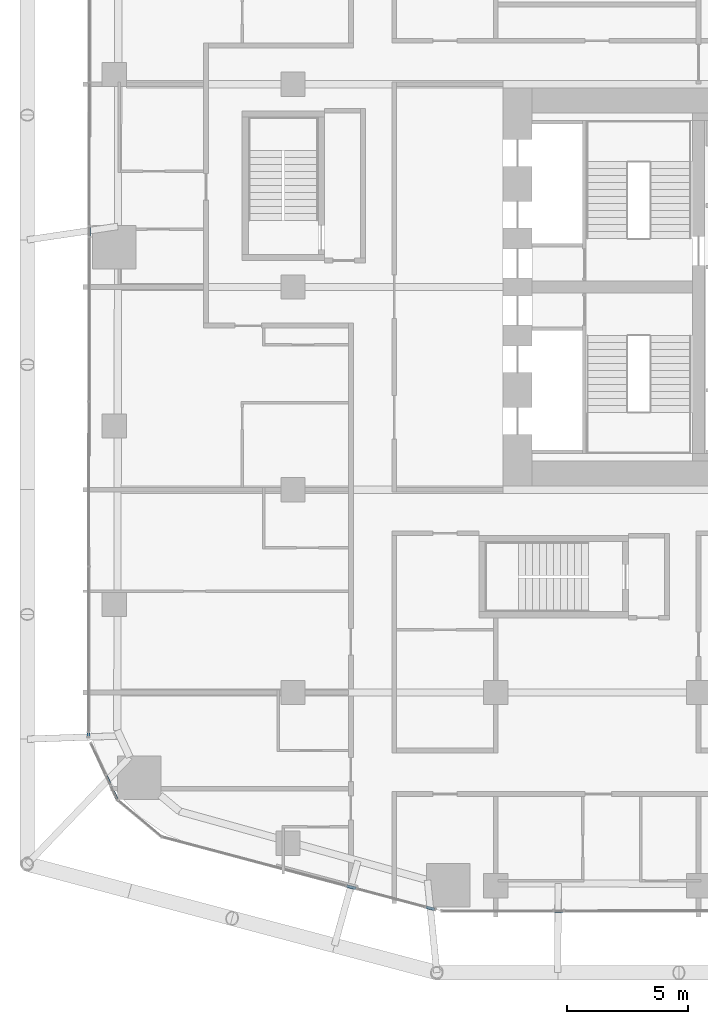
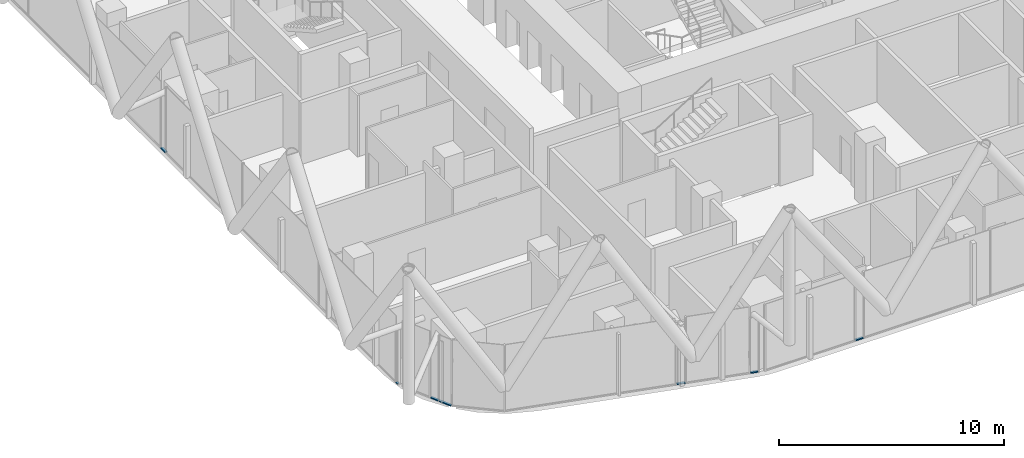
# One storey, part 16 of 38: 7 members, 7 elements without a shape of their own.
"""IFC4 building model written with IfcOpenShell, lengths in metres."""

import ifcopenshell
import ifcopenshell.guid

model = None  # the IFC model being written
_history = None  # IfcOwnerHistory: only IFC2X3 demands one
_inside = {}  # id of a spatial element -> (the spatial element, [elements in it])
_under = {}  # id of a project, library or spatial element -> (it, [spatial elements below it])
_declared = {}  # id of a project -> (the project, [libraries it declares])
_typed = {}  # id of a type object -> (the type object, [elements of that type])
_made_of = {}  # id of a material, layer set ... -> (it, [elements and type objects made of it])


def new_model(schema):
    """Start an empty IFC model of exactly this schema.

    Asked for "IFC4X3", IfcOpenShell would pick the latest addendum, in which some entities
    have other attributes; the version numbers below select the first issue.
    IFC2X3 requires an IfcOwnerHistory on every rooted entity: one is made here for all.
    """
    global model, _history
    if schema == "IFC4X3":
        model = ifcopenshell.file(schema_version=(4, 3, 0, 0))
    else:
        model = ifcopenshell.file(schema=schema)
    _inside.clear()
    _under.clear()
    _declared.clear()
    _typed.clear()
    _made_of.clear()
    _history = None
    if model.schema == "IFC2X3":
        org = make("IfcOrganization", Name="unknown")
        user = make(
            "IfcPersonAndOrganization",
            ThePerson=make("IfcPerson", FamilyName="unknown"),
            TheOrganization=org,
        )
        app = make(
            "IfcApplication",
            ApplicationDeveloper=org,
            Version="unknown",
            ApplicationFullName="unknown",
            ApplicationIdentifier="unknown",
        )
        _history = make(
            "IfcOwnerHistory",
            OwningUser=user,
            OwningApplication=app,
            ChangeAction="ADDED",
            CreationDate=0,
        )
    return model


def make(cls, **values):
    """One entity of the class cls with the attributes given. An attribute that is None is left unset."""
    return model.create_entity(
        cls, **{name: value for name, value in values.items() if value is not None}
    )


def rooted(cls, **values):
    """An entity with a GlobalId (a new one), such as an element, a storey or a relation."""
    return make(cls, GlobalId=ifcopenshell.guid.new(), OwnerHistory=_history, **values)


def si_unit(unit_type, name, prefix=None):
    """IfcSIUnit, for example si_unit("LENGTHUNIT", "METRE", prefix="MILLI")."""
    return make("IfcSIUnit", UnitType=unit_type, Prefix=prefix, Name=name)


def assignment(units):
    """IfcUnitAssignment: the units of a project."""
    return None if units is None else make("IfcUnitAssignment", Units=units)


def point(xyz):
    """IfcCartesianPoint."""
    return None if xyz is None else make("IfcCartesianPoint", Coordinates=xyz)


def direction(xyz):
    """IfcDirection."""
    return None if xyz is None else make("IfcDirection", DirectionRatios=xyz)


def frame(location, z_axis=None, x_axis=None):
    """IfcAxis2Placement3D, a coordinate frame: its origin and axes. An axis left out is left unset."""
    return make(
        "IfcAxis2Placement3D",
        Location=point(location),
        Axis=direction(z_axis),
        RefDirection=direction(x_axis),
    )


def frame_2d(location, x_axis=None):
    """IfcAxis2Placement2D, a coordinate frame in the plane: its origin and x axis."""
    return make(
        "IfcAxis2Placement2D", Location=point(location), RefDirection=direction(x_axis)
    )


def origin():
    """The frame at (0, 0, 0) with its axes left unset."""
    return frame((0.0, 0.0, 0.0))


def origin_2d():
    """The frame at (0, 0) in the plane with its x axis left unset."""
    return frame_2d((0.0, 0.0))


def place(relative_to, where):
    """IfcLocalPlacement: puts the frame where relative to a parent placement (None: the world)."""
    return make(
        "IfcLocalPlacement", PlacementRelTo=relative_to, RelativePlacement=where
    )


def context(
    kind, dimensions, precision=None, world=None, true_north=None, identifier=None
):
    """IfcGeometricRepresentationContext, for example the 3D "Model" context."""
    return make(
        "IfcGeometricRepresentationContext",
        ContextIdentifier=identifier,
        ContextType=kind,
        CoordinateSpaceDimension=dimensions,
        Precision=precision,
        WorldCoordinateSystem=world,
        TrueNorth=true_north,
    )


def subcontext(parent, identifier, kind, view, scale=None):
    """IfcGeometricRepresentationSubContext, for example "Body" below "Model"."""
    return make(
        "IfcGeometricRepresentationSubContext",
        ContextIdentifier=identifier,
        ContextType=kind,
        ParentContext=parent,
        TargetScale=scale,
        TargetView=view,
    )


def project(units=None, contexts=None):
    """IfcProject with its units and contexts."""
    return rooted(
        "IfcProject",
        Name="project",
        RepresentationContexts=contexts,
        UnitsInContext=assignment(units),
    )


def spatial(cls, under=None, at=None, **own):
    """A site, building, storey or space (cls), placed at a placement, below another one or the project."""
    s = rooted(cls, ObjectPlacement=at, **own)
    if under is not None:
        _under.setdefault(under.id(), (under, []))[1].append(s)
    return s


def profile(cls, at=None, kind="AREA", **sizes):
    """A parametric profile (cls). Its sizes go by their IFC names, for example OverallWidth=200.0."""
    return make(cls, ProfileType=kind, Position=at, **sizes)


def rectangle(**sizes):
    """IfcRectangleProfileDef."""
    return profile("IfcRectangleProfileDef", **sizes)


def extrude(swept, where, along, depth):
    """IfcExtrudedAreaSolid: the profile swept, set in the frame where, extruded along a direction by depth."""
    return make(
        "IfcExtrudedAreaSolid",
        SweptArea=swept,
        Position=where,
        ExtrudedDirection=direction(along),
        Depth=depth,
    )


def shape(context_of_items, identifier, shape_type, items):
    """IfcShapeRepresentation: the items that make up one representation, for example the "Body"."""
    return make(
        "IfcShapeRepresentation",
        ContextOfItems=context_of_items,
        RepresentationIdentifier=identifier,
        RepresentationType=shape_type,
        Items=items,
    )


def material(Name=None, Category=None):
    """IfcMaterial."""
    return make("IfcMaterial", Name=Name, Category=Category)


def layer(
    of_material, thickness, ventilated=None, Name=None, Category=None, Priority=None
):
    """IfcMaterialLayer: one layer of a wall or slab, of a material (None: an air gap)."""
    return make(
        "IfcMaterialLayer",
        Material=of_material,
        LayerThickness=thickness,
        IsVentilated=ventilated,
        Name=Name,
        Category=Category,
        Priority=Priority,
    )


def layer_set(layers, Name=None):
    """IfcMaterialLayerSet."""
    return make("IfcMaterialLayerSet", MaterialLayers=layers, LayerSetName=Name)


def material_profile(
    of_material, cross_section, Name=None, Category=None, Priority=None
):
    """IfcMaterialProfile: a cross section and its material."""
    return make(
        "IfcMaterialProfile",
        Name=Name,
        Material=of_material,
        Profile=cross_section,
        Priority=Priority,
        Category=Category,
    )


def profile_set(profiles, Name=None, composite=None):
    """IfcMaterialProfileSet."""
    return make(
        "IfcMaterialProfileSet",
        Name=Name,
        MaterialProfiles=profiles,
        CompositeProfile=composite,
    )


def made_of(thing, what):
    """Note that an element or type object is made of a material, layer set ...; save() writes the relation."""
    if what is not None:
        _made_of.setdefault(what.id(), (what, []))[1].append(thing)
    return thing


def type_object(cls, material=None, **own):
    """A type object (cls), such as IfcWallType, which elements share."""
    return made_of(rooted(cls, **own), material)


def element(
    cls,
    number,
    at=None,
    inside=None,
    cuts=None,
    type_object=None,
    material=None,
    context=None,
    identifier="Body",
    shape_type=None,
    held_by="IfcProductDefinitionShape",
    body=None,
    shapes=None,
    **own,
):
    """One element of the class cls, such as IfcWall. Its Tag is "e" and its number.

    at: its placement. inside: the storey or other place that contains it. cuts: it is an
    opening in that element (IfcRelVoidsElement). A single representation is given by context,
    identifier, shape_type and body (its items); several are given by shapes. held_by: the class
    of the entity that holds the representations. save() writes the other relations.
    """
    e = rooted(cls, Tag="e%d" % number, ObjectPlacement=at, **own)
    if body is not None:
        shapes = [shape(context, identifier, shape_type, body)]
    if shapes is not None:
        e.Representation = make(held_by, Representations=shapes)
    if inside is not None:
        _inside.setdefault(inside.id(), (inside, []))[1].append(e)
    if cuts is not None:
        rooted(
            "IfcRelVoidsElement", RelatingBuildingElement=cuts, RelatedOpeningElement=e
        )
    if type_object is not None:
        _typed.setdefault(type_object.id(), (type_object, []))[1].append(e)
    return made_of(e, material)


def aggregate(whole, parts):
    """IfcRelAggregates: a whole, such as a stair, and the parts it consists of."""
    return rooted("IfcRelAggregates", RelatingObject=whole, RelatedObjects=parts)


def save(model, path):
    """Write the relations noted so far, then the file.

    IfcRelAggregates (storeys below a building ...), IfcRelContainedInSpatialStructure (elements
    in a storey), IfcRelDefinesByType, IfcRelAssociatesMaterial and IfcRelDeclares: one each for
    every whole, place, type object, material and project.
    """
    for whole, parts in _under.values():
        aggregate(whole, parts)
    for where, things in _inside.values():
        rooted(
            "IfcRelContainedInSpatialStructure",
            RelatedElements=things,
            RelatingStructure=where,
        )
    for kind, things in _typed.values():
        rooted("IfcRelDefinesByType", RelatedObjects=things, RelatingType=kind)
    for what, things in _made_of.values():
        rooted("IfcRelAssociatesMaterial", RelatedObjects=things, RelatingMaterial=what)
    for by, libraries in _declared.values():
        rooted("IfcRelDeclares", RelatingContext=by, RelatedDefinitions=libraries)
    model.write(path)


model = new_model("IFC4")

# Units and contexts
model_context = context("Model", 3, precision=1e-05, world=origin(), true_north=direction((0.0, 1.0)))
body_context = subcontext(model_context, "Body", "Model", "MODEL_VIEW")
ifc_project = project(units=[si_unit("LENGTHUNIT", "METRE"), si_unit("AREAUNIT", "SQUARE_METRE"), si_unit("VOLUMEUNIT", "CUBIC_METRE"), si_unit("PLANEANGLEUNIT", "RADIAN"), si_unit("MASSUNIT", "GRAM", prefix="KILO")], contexts=[model_context])

# Site, building, storey
site_placement = place(None, origin())
site = spatial("IfcSite", under=ifc_project, at=site_placement, CompositionType="ELEMENT")
building_placement = place(site_placement, origin())
building = spatial("IfcBuilding", under=site, at=building_placement, Name="Marenta Gate Hotel Tower", CompositionType="ELEMENT")
storey_placement = place(building_placement, frame((0.0, 0.0, 68.89990234375)))
storey = spatial("IfcBuildingStorey", under=building, at=storey_placement, Name="L15", CompositionType="ELEMENT", Elevation=68.89990234375)

# Curtain wall, member
ifc_material_1 = material(Name="Tinted insulated glass in bronze anodised frame", Category="glass")
ifc_layer = layer(ifc_material_1, 0.1201171875)
ifc_layer_set = layer_set([ifc_layer], Name="Tinted insulated glass in bronze anodised frame")
curtain_wall_type = type_object("IfcCurtainWallType", Name="Tower unitised curtain wall CW1", PredefinedType="NOTDEFINED", material=ifc_layer_set)
curtain_wall_1_placement = place(storey_placement, origin())
curtain_wall_1 = element("IfcCurtainWall", 1, at=curtain_wall_1_placement, inside=storey, type_object=curtain_wall_type, Name="CW1 run G07", PredefinedType="NOTDEFINED")
ifc_material_2 = material(Name="Bronze anodised aluminium", Category="aluminium")
ifc_material_profile = material_profile(ifc_material_2, rectangle(XDim=0.1201171875, YDim=0.06005859375, at=origin_2d()), Name="Transom CW1 60x120 bronze anodised aluminium")
ifc_profile_set = profile_set([ifc_material_profile], Name="Bronze anodised aluminium")
member_type = type_object("IfcMemberType", Name="Transom CW1 60x120 bronze anodised aluminium", PredefinedType="USERDEFINED", material=ifc_profile_set)
member_1_placement = place(storey_placement, frame((-29.440185546875, 10.90087890625, 0.030029296875), z_axis=(-0.001839359243, -0.999998308377, 0.0), x_axis=(0.999998308377, -0.001839359243, 0.0)))
member_1 = element("IfcMember", 2, at=member_1_placement, type_object=member_type, Name="CW1 transom 1.1", ObjectType="TRANSOM", PredefinedType="USERDEFINED", context=body_context, shape_type="SweptSolid", body=[
    extrude(rectangle(XDim=0.1201171875, YDim=0.06005859375, at=origin_2d()), origin(), (0.0, 0.0, 1.0), 0.398193359375),
])
aggregate(curtain_wall_1, [member_1])

curtain_wall_2_placement = place(storey_placement, origin())
curtain_wall_2 = element("IfcCurtainWall", 3, at=curtain_wall_2_placement, inside=storey, type_object=curtain_wall_type, Name="CW1 run G09", PredefinedType="NOTDEFINED")
member_2_placement = place(storey_placement, frame((-29.472900390625, -10.073486328125, 0.030029296875), z_axis=(-0.001712326257, -0.999998533968, 0.0), x_axis=(0.999998533968, -0.001712326257, 0.0)))
member_2 = element("IfcMember", 4, at=member_2_placement, type_object=member_type, Name="CW1 transom 1.1", ObjectType="TRANSOM", PredefinedType="USERDEFINED", context=body_context, shape_type="SweptSolid", body=[
    extrude(rectangle(XDim=0.1201171875, YDim=0.06005859375, at=origin_2d()), origin(), (0.0, 0.0, 1.0), 0.142578125),
])
aggregate(curtain_wall_2, [member_2])

curtain_wall_3_placement = place(storey_placement, origin())
curtain_wall_3 = element("IfcCurtainWall", 5, at=curtain_wall_3_placement, inside=storey, type_object=curtain_wall_type, Name="CW1 run G11", PredefinedType="NOTDEFINED")
member_3_placement = place(storey_placement, frame((-28.739501953125, -11.84619140625, 0.030029296875), z_axis=(0.422979592387, -0.906139208082, 0.0), x_axis=(0.906139208082, 0.422979592387, 0.0)))
member_3 = element("IfcMember", 6, at=member_3_placement, type_object=member_type, Name="CW1 transom 1.1", ObjectType="TRANSOM", PredefinedType="USERDEFINED", context=body_context, shape_type="SweptSolid", body=[
    extrude(rectangle(XDim=0.1201171875, YDim=0.06005859375, at=origin_2d()), origin(), (0.0, 0.0, 1.0), 0.426025390625),
])
aggregate(curtain_wall_3, [member_3])

curtain_wall_4_placement = place(storey_placement, origin())
curtain_wall_4 = element("IfcCurtainWall", 7, at=curtain_wall_4_placement, inside=storey, type_object=curtain_wall_type, Name="CW1 run G12", PredefinedType="NOTDEFINED")
member_4_placement = place(storey_placement, frame((-28.533935546875, -12.286376953125, 0.030029296875), z_axis=(0.423321437663, -0.905979558497, 0.0), x_axis=(0.905979558497, 0.423321437663, 0.0)))
member_4 = element("IfcMember", 8, at=member_4_placement, type_object=member_type, Name="CW1 transom 1.1", ObjectType="TRANSOM", PredefinedType="USERDEFINED", context=body_context, shape_type="SweptSolid", body=[
    extrude(rectangle(XDim=0.1201171875, YDim=0.06005859375, at=origin_2d()), origin(), (0.0, 0.0, 1.0), 0.613037109375),
])
aggregate(curtain_wall_4, [member_4])

curtain_wall_5_placement = place(storey_placement, origin())
curtain_wall_5 = element("IfcCurtainWall", 9, at=curtain_wall_5_placement, inside=storey, type_object=curtain_wall_type, Name="CW1 run G15", PredefinedType="NOTDEFINED")
member_5_placement = place(storey_placement, frame((-18.7685546875, -16.41064453125, 0.030029296875), z_axis=(0.966379102199, -0.257121432076, 0.0), x_axis=(0.257121432076, 0.966379102199, 0.0)))
member_5 = element("IfcMember", 10, at=member_5_placement, type_object=member_type, Name="CW1 transom 1.1", ObjectType="TRANSOM", PredefinedType="USERDEFINED", context=body_context, shape_type="SweptSolid", body=[
    extrude(rectangle(XDim=0.1201171875, YDim=0.06005859375, at=origin_2d()), origin(), (0.0, 0.0, 1.0), 0.39306640625),
])
aggregate(curtain_wall_5, [member_5])

curtain_wall_6_placement = place(storey_placement, origin())
curtain_wall_6 = element("IfcCurtainWall", 11, at=curtain_wall_6_placement, inside=storey, type_object=curtain_wall_type, Name="CW1 run G17", PredefinedType="NOTDEFINED")
member_6_placement = place(storey_placement, frame((-15.485595703125, -17.2841796875, 0.030029296875), z_axis=(0.96644611401, -0.256869439046, 0.0), x_axis=(0.256869439046, 0.96644611401, 0.0)))
member_6 = element("IfcMember", 12, at=member_6_placement, type_object=member_type, Name="CW1 transom 1.1", ObjectType="TRANSOM", PredefinedType="USERDEFINED", context=body_context, shape_type="SweptSolid", body=[
    extrude(rectangle(XDim=0.1201171875, YDim=0.06005859375, at=origin_2d()), origin(), (0.0, 0.0, 1.0), 0.364013671875),
])
aggregate(curtain_wall_6, [member_6])

curtain_wall_7_placement = place(storey_placement, origin())
curtain_wall_7 = element("IfcCurtainWall", 13, at=curtain_wall_7_placement, inside=storey, type_object=curtain_wall_type, Name="CW1 run G19", PredefinedType="NOTDEFINED")
member_7_placement = place(storey_placement, frame((-10.185546875, -17.4423828125, 0.030029296875), z_axis=(0.999999228426, 0.001242235066, 0.0), x_axis=(-0.001242235066, 0.999999228426, 0.0)))
member_7 = element("IfcMember", 14, at=member_7_placement, type_object=member_type, Name="CW1 transom 1.1", ObjectType="TRANSOM", PredefinedType="USERDEFINED", context=body_context, shape_type="SweptSolid", body=[
    extrude(rectangle(XDim=0.1201171875, YDim=0.06005859375, at=origin_2d()), origin(), (0.0, 0.0, 1.0), 0.39306640625),
])
aggregate(curtain_wall_7, [member_7])

save(model, "model.ifc")
